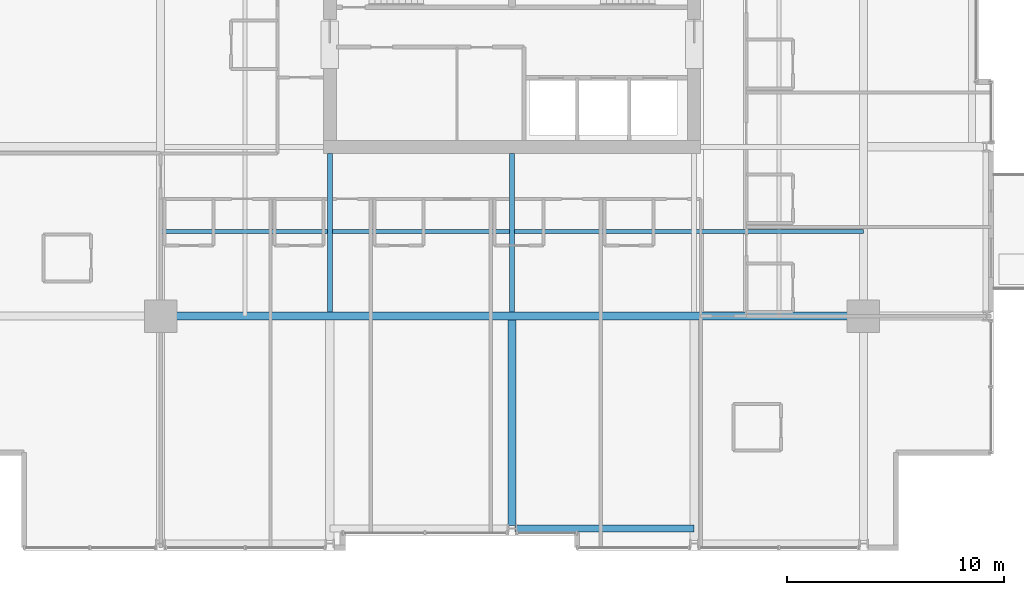
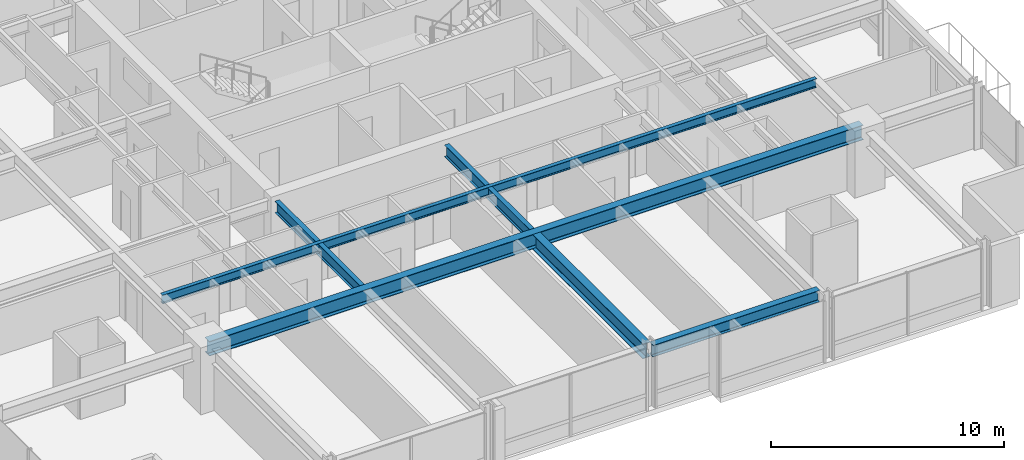
# One storey, part 6 of 34: 6 beams.
"""IFC4 building model written with IfcOpenShell, lengths in metres."""

from ifc_helpers import new_model, si_unit, direction, frame, origin, origin_2d, place, context, subcontext, project, spatial, i_section, extrude, material, material_profile, profile_set, type_object, element, save


model = new_model("IFC4")

# Units and contexts
model_context = context("Model", 3, precision=1e-05, world=origin(), true_north=direction((0.0, 1.0)))
body_context = subcontext(model_context, "Body", "Model", "MODEL_VIEW")
ifc_project = project(units=[si_unit("LENGTHUNIT", "METRE"), si_unit("AREAUNIT", "SQUARE_METRE"), si_unit("VOLUMEUNIT", "CUBIC_METRE"), si_unit("PLANEANGLEUNIT", "RADIAN"), si_unit("MASSUNIT", "GRAM", prefix="KILO")], contexts=[model_context])

# Site, building, storey
site_placement = place(None, origin())
site = spatial("IfcSite", under=ifc_project, at=site_placement, CompositionType="ELEMENT")
building_placement = place(site_placement, origin())
building = spatial("IfcBuilding", under=site, at=building_placement, Name="Drelvath Grand Hotel", CompositionType="ELEMENT")
storey_placement = place(building_placement, frame((0.0, 0.0, 91.800048828125)))
storey = spatial("IfcBuildingStorey", under=building, at=storey_placement, Name="L22", CompositionType="ELEMENT", Elevation=91.800048828125)

# Beams
ifc_material = material(Name="Steel ASTM A992 Gr 50", Category="steel")
ifc_material_profile_1 = material_profile(ifc_material, i_section(OverallWidth=0.19140625, OverallDepth=0.4599609375, WebThickness=0.010009765625, FlangeThickness=0.01611328125, FilletRadius=0.01611328125, at=origin_2d()), Name="W18X55")
ifc_profile_set_1 = profile_set([ifc_material_profile_1], Name="Steel ASTM A992 Gr 50")
beam_type_1 = type_object("IfcBeamType", Name="Composite Floor Joist W18X55", PredefinedType="JOIST", material=ifc_profile_set_1)
beam_1_placement = place(storey_placement, frame((-16.199951171875, 14.699951171875, 3.010009765625), z_axis=(1.0, 0.0, 0.0), x_axis=(0.0, 1.0, 0.0)))
element("IfcBeam", 1, at=beam_1_placement, inside=storey, type_object=beam_type_1, Name="L22 Floor Joist J1", PredefinedType="JOIST", context=body_context, shape_type="SweptSolid", body=[
    extrude(i_section(OverallWidth=0.19140625, OverallDepth=0.4599609375, WebThickness=0.010009765625, FlangeThickness=0.01611328125, FilletRadius=0.01611328125, at=origin_2d()), origin(), (0.0, 0.0, 1.0), 32.39990234375),
])
ifc_material_profile_2 = material_profile(ifc_material, i_section(OverallWidth=0.323974609375, OverallDepth=0.611083984375, WebThickness=0.0126953125, FlangeThickness=0.01904296875, FilletRadius=0.02197265625, at=origin_2d()), Name="W24X104")
ifc_profile_set_2 = profile_set([ifc_material_profile_2], Name="Steel ASTM A992 Gr 50")
beam_type_2 = type_object("IfcBeamType", Name="Perimeter Spandrel Beam W24X104", PredefinedType="SPANDREL", material=ifc_profile_set_2)
beam_2_placement = place(storey_placement, frame((0.139892578125, 1.0, 2.9345703125), z_axis=(1.0, 0.0, 0.0), x_axis=(0.0, 1.0, 0.0)))
element("IfcBeam", 2, at=beam_2_placement, inside=storey, type_object=beam_type_2, Name="L22 Spandrel South Mid E", PredefinedType="SPANDREL", context=body_context, shape_type="SweptSolid", body=[
    extrude(i_section(OverallWidth=0.323974609375, OverallDepth=0.611083984375, WebThickness=0.0126953125, FlangeThickness=0.01904296875, FilletRadius=0.02197265625, at=origin_2d()), origin(), (0.0, 0.0, 1.0), 8.260009765625),
])
ifc_material_profile_3 = material_profile(ifc_material, i_section(OverallWidth=0.228271484375, OverallDepth=0.607666015625, WebThickness=0.01123046875, FlangeThickness=0.017333984375, FilletRadius=0.02001953125, at=origin_2d()), Name="W24X76")
ifc_profile_set_3 = profile_set([ifc_material_profile_3], Name="Steel ASTM A992 Gr 50")
beam_type_3 = type_object("IfcBeamType", Name="Primary Floor Girder W24X76", PredefinedType="BEAM", material=ifc_profile_set_3)
for number, where, z_axis, x_axis, name in (
    (3, (-8.39990234375, 10.990234375, 2.93603515625), (0.0, 1.0, 0.0), (-1.0, 0.0, 0.0), "L22 South Core Tie 4"),
    (4, (0.0, 10.990234375, 2.93603515625), (0.0, 1.0, 0.0), (-1.0, 0.0, 0.0), "L22 South Core Tie 5"),
):
    element("IfcBeam", number, at=place(storey_placement, frame(where, z_axis=z_axis, x_axis=x_axis)), inside=storey, type_object=beam_type_3, Name=name, PredefinedType="BEAM", context=body_context, shape_type="SweptSolid", body=[
        extrude(i_section(OverallWidth=0.228271484375, OverallDepth=0.607666015625, WebThickness=0.01123046875, FlangeThickness=0.017333984375, FilletRadius=0.02001953125, at=origin_2d()), origin(), (0.0, 0.0, 1.0), 7.309814453125),
    ])
ifc_material_profile_4 = material_profile(ifc_material, i_section(OverallWidth=0.380615234375, OverallDepth=0.773193359375, WebThickness=0.0166015625, FlangeThickness=0.027099609375, FilletRadius=0.02490234375, at=origin_2d()), Name="W30X173")
ifc_profile_set_4 = profile_set([ifc_material_profile_4], Name="Steel ASTM A992 Gr 50")
beam_type_4 = type_object("IfcBeamType", Name="Primary Floor Girder W30X173", PredefinedType="BEAM", material=ifc_profile_set_4)
beam_3_placement = place(storey_placement, frame((-16.199951171875, 10.800048828125, 2.853271484375), z_axis=(1.0, 0.0, 0.0), x_axis=(0.0, 1.0, 0.0)))
element("IfcBeam", 5, at=beam_3_placement, inside=storey, type_object=beam_type_4, Name="L22 Mega Ring Girder South", PredefinedType="BEAM", context=body_context, shape_type="SweptSolid", body=[
    extrude(i_section(OverallWidth=0.380615234375, OverallDepth=0.773193359375, WebThickness=0.0166015625, FlangeThickness=0.027099609375, FilletRadius=0.02490234375, at=origin_2d()), origin(), (0.0, 0.0, 1.0), 32.39990234375),
])
beam_4_placement = place(storey_placement, frame((0.0, 1.139892578125, 2.853271484375), z_axis=(0.0, 1.0, 0.0), x_axis=(-1.0, 0.0, 0.0)))
element("IfcBeam", 6, at=beam_4_placement, inside=storey, type_object=beam_type_4, Name="L22 South Wing Girder 5", PredefinedType="BEAM", context=body_context, shape_type="SweptSolid", body=[
    extrude(i_section(OverallWidth=0.380615234375, OverallDepth=0.773193359375, WebThickness=0.0166015625, FlangeThickness=0.027099609375, FilletRadius=0.02490234375, at=origin_2d()), origin(), (0.0, 0.0, 1.0), 9.4697265625),
])

save(model, "model.ifc")
